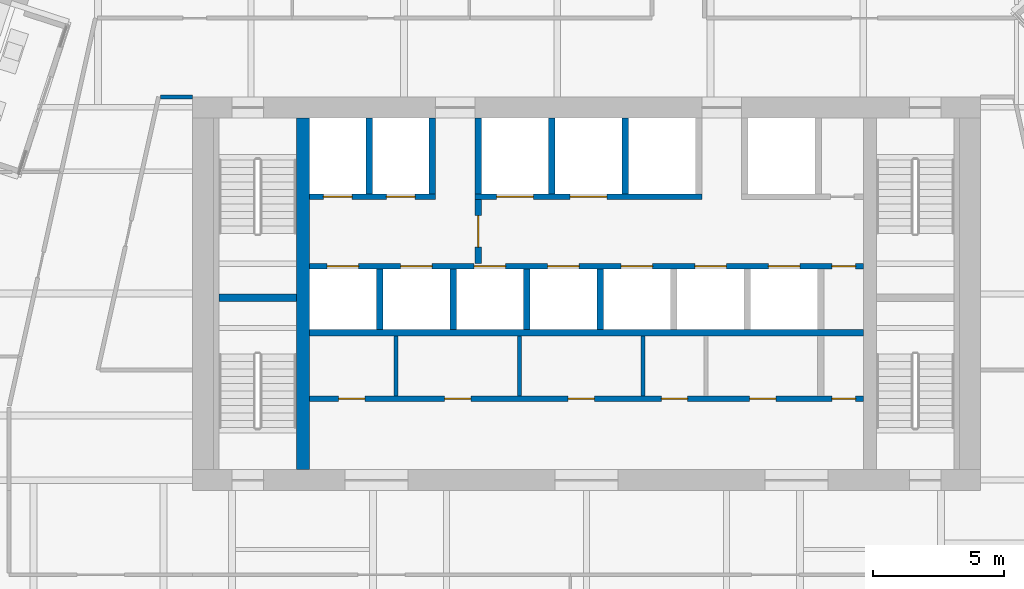
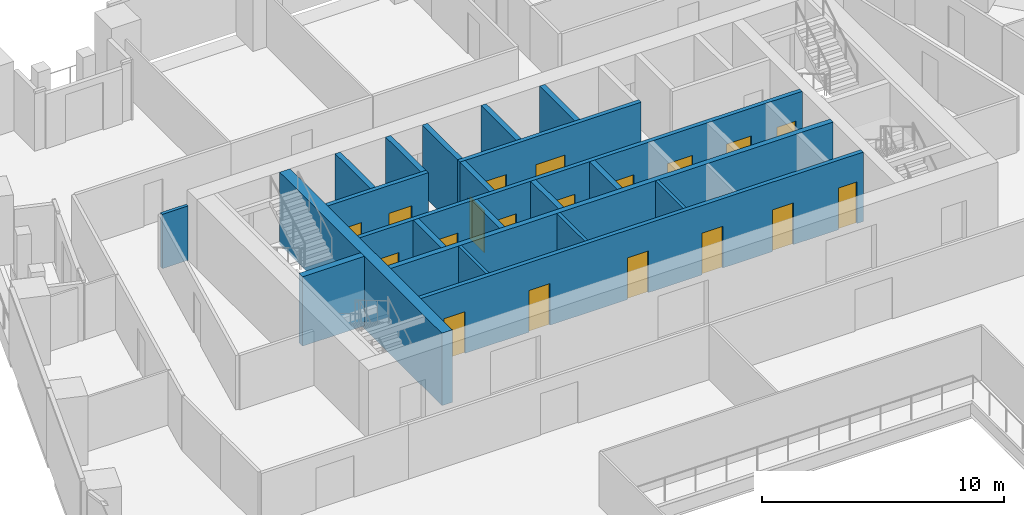
# One storey, part 20 of 26: 21 walls, 19 doors, 19 openings.
"""IFC4 building model written with IfcOpenShell, lengths in metres."""

from ifc_helpers import new_model, si_unit, direction, frame, frame_2d, origin, place, context, subcontext, project, spatial, rectangle, extrude, material, layer, layer_set, type_object, element, fill, save


model = new_model("IFC4")

# Units and contexts
model_context = context("Model", 3, precision=1e-05, world=origin(), true_north=direction((0.0, 1.0)))
body_context = subcontext(model_context, "Body", "Model", "MODEL_VIEW")
ifc_project = project(units=[si_unit("LENGTHUNIT", "METRE"), si_unit("AREAUNIT", "SQUARE_METRE"), si_unit("VOLUMEUNIT", "CUBIC_METRE"), si_unit("PLANEANGLEUNIT", "RADIAN"), si_unit("MASSUNIT", "GRAM", prefix="KILO")], contexts=[model_context])

# Site, building, storey
site_placement = place(None, origin())
site = spatial("IfcSite", under=ifc_project, at=site_placement, CompositionType="ELEMENT")
building_placement = place(site_placement, origin())
building = spatial("IfcBuilding", under=site, at=building_placement, Name="Isthmus Gate Tower", CompositionType="ELEMENT")
storey_placement = place(building_placement, frame((0.0, 0.0, 144.39990234375)))
storey = spatial("IfcBuildingStorey", under=building, at=storey_placement, Name="L35", CompositionType="ELEMENT", Elevation=144.39990234375)

# Wall
ifc_material_1 = material(Name="Gypsum board on steel studs, fire-rated", Category="steel")
ifc_layer_1 = layer(ifc_material_1, 0.14990234375)
ifc_layer_set_1 = layer_set([ifc_layer_1], Name="CORRIDOR WALL 150 60 MIN")
wall_type_1 = type_object("IfcWallType", Name="CORRIDOR WALL 150 60 MIN", PredefinedType="PARTITIONING", material=ifc_layer_set_1)
wall_1_placement = place(storey_placement, frame((-15.0, 15.0, 0.0), z_axis=(0.0, 0.0, 1.0), x_axis=(-1.0, 0.0, 0.0)))
element("IfcWall", 1, at=wall_1_placement, inside=storey, type_object=wall_type_1, Name="L35 Corridor Wall 150 60 Min", PredefinedType="PARTITIONING", context=body_context, shape_type="SweptSolid", body=[
    extrude(rectangle(XDim=1.221923828125, YDim=0.14990234375, at=frame_2d((0.61083984375, 0.0))), origin(), (0.0, 0.0, 1.0), 2.7412109375),
])

# Wall, opening, door
ifc_material_2 = material(Name="Fire-rated blockwork masonry, 15 MPa", Category="masonry")
ifc_layer_2 = layer(ifc_material_2, 0.25)
ifc_layer_set_2 = layer_set([ifc_layer_2], Name="FIRE-FIGHTING LOBBY WALL 250 90 MIN")
wall_type_2 = type_object("IfcWallType", Name="FIRE-FIGHTING LOBBY WALL 250 90 MIN", PredefinedType="PARTITIONING", material=ifc_layer_set_2)
wall_2_placement = place(storey_placement, frame((-4.125, 8.64990234375, 0.0), z_axis=(0.0, 0.0, 1.0), x_axis=(0.0, 1.0, 0.0)))
wall_2 = element("IfcWall", 2, at=wall_2_placement, inside=storey, type_object=wall_type_2, Name="L35 FIRE-FIGHTING LOBBY WALL 250 90 MIN", PredefinedType="PARTITIONING", context=body_context, shape_type="SweptSolid", body=[
    extrude(rectangle(XDim=2.4501953125, YDim=0.25, at=frame_2d((1.22509765625, 0.0))), origin(), (0.0, 0.0, 1.0), 3.5),
])
opening_1_placement = place(wall_2_placement, frame((0.625, 0.0, 0.0)))
opening_1 = element("IfcOpeningElement", 3, at=opening_1_placement, cuts=wall_2, Name="Opening DC-A10-01", PredefinedType="OPENING", context=body_context, shape_type="SweptSolid", body=[
    extrude(rectangle(XDim=1.199951171875, YDim=2.10009765625, at=frame_2d((0.60009765625, 1.050048828125))), frame((0.0, 0.135009765625, 0.0), z_axis=(0.0, -1.0, 0.0), x_axis=(1.0, 0.0, 0.0)), (0.0, 0.0, 1.0), 0.27001953125),
])
ifc_material_3 = material(Name="Steel door leaf, fire-rated", Category="steel")
door_type_1 = type_object("IfcDoorType", Name="LOBBY FIRE DOOR 1200 X 2100 90 MIN", OperationType="DOUBLE_DOOR_SINGLE_SWING", PredefinedType="DOOR", material=ifc_material_3)
door_1_placement = place(opening_1_placement, origin())
door_1 = element("IfcDoor", 4, at=door_1_placement, inside=storey, type_object=door_type_1, Name="Fire-fighting Lobby Door", OperationType="SINGLE_SWING_LEFT", OverallHeight=2.10009765625, OverallWidth=1.199951171875, PredefinedType="DOOR", context=body_context, shape_type="SweptSolid", body=[
    extrude(rectangle(XDim=1.199951171875, YDim=2.10009765625, at=frame_2d((0.60009765625, 1.050048828125))), frame((0.0, 0.02490234375, 0.0), z_axis=(0.0, -1.0, 0.0), x_axis=(1.0, 0.0, 0.0)), (0.0, 0.0, 1.0), 0.050048828125),
])
fill(opening_1, door_1)

# Walls
ifc_material_4 = material(Name="Concrete f'c 60 MPa", Category="concrete")
ifc_layer_3 = layer(ifc_material_4, 0.5)
ifc_layer_set_3 = layer_set([ifc_layer_3], Name="RC CORE SPINE WALL 500 F'C 60")
wall_type_3 = type_object("IfcWallType", Name="RC CORE SPINE WALL 500 F'C 60", PredefinedType="SOLIDWALL", material=ifc_layer_set_3)
wall_3_placement = place(storey_placement, frame((-10.800048828125, 0.800048828125, -0.14990234375), z_axis=(0.0, 0.0, 1.0), x_axis=(0.0, 1.0, 0.0)))
element("IfcWall", 5, at=wall_3_placement, inside=storey, type_object=wall_type_3, Name="str-corewall-L35-SPW", PredefinedType="SOLIDWALL", context=body_context, shape_type="SweptSolid", body=[
    extrude(rectangle(XDim=13.39990234375, YDim=0.5, at=frame_2d((6.699951171875, 0.0))), origin(), (0.0, 0.0, 1.0), 3.64990234375),
])
ifc_material_5 = material(Name="Gypsum board on steel studs, fire-rated", Category="steel")
ifc_layer_4 = layer(ifc_material_5, 0.14990234375)
ifc_layer_set_4 = layer_set([ifc_layer_4], Name="ROOM PARTITION 150 60 MIN")
wall_type_4 = type_object("IfcWallType", Name="ROOM PARTITION 150 60 MIN", PredefinedType="PARTITIONING", material=ifc_layer_set_4)
for number, where, z_axis, x_axis, name in (
    (6, (-7.25, 3.60009765625, 0.0), (0.0, 0.0, 1.0), (0.0, 1.0, 0.0), "L35 ROOM PARTITION 150 60 MIN"),
    (7, (-2.550048828125, 3.60009765625, 0.0), (0.0, 0.0, 1.0), (0.0, 1.0, 0.0), "L35 ROOM PARTITION 150 60 MIN"),
    (8, (2.14990234375, 3.60009765625, 0.0), (0.0, 0.0, 1.0), (0.0, 1.0, 0.0), "L35 ROOM PARTITION 150 60 MIN"),
):
    element("IfcWall", number, at=place(storey_placement, frame(where, z_axis=z_axis, x_axis=x_axis)), inside=storey, type_object=wall_type_4, Name=name, PredefinedType="PARTITIONING", context=body_context, shape_type="SweptSolid", body=[
        extrude(rectangle(XDim=2.2998046875, YDim=0.14990234375, at=frame_2d((1.14990234375, 0.0))), origin(), (0.0, 0.0, 1.0), 3.5),
    ])

# Wall, openings, doors
ifc_material_6 = material(Name="Fire-rated blockwork masonry, 15 MPa", Category="masonry")
ifc_layer_5 = layer(ifc_material_6, 0.199951171875)
ifc_layer_set_5 = layer_set([ifc_layer_5], Name="SHAFT FRONT WALL 200 120 MIN")
wall_type_5 = type_object("IfcWallType", Name="SHAFT FRONT WALL 200 120 MIN", PredefinedType="PARTITIONING", material=ifc_layer_set_5)
wall_4_placement = place(storey_placement, frame((-10.550048828125, 3.5, 0.0), z_axis=(0.0, 0.0, 1.0), x_axis=(1.0, 0.0, 0.0)))
wall_4 = element("IfcWall", 9, at=wall_4_placement, inside=storey, type_object=wall_type_5, Name="L35 SHAFT FRONT WALL 200 120 MIN", PredefinedType="PARTITIONING", context=body_context, shape_type="SweptSolid", body=[
    extrude(rectangle(XDim=21.10009765625, YDim=0.199951171875, at=frame_2d((10.550048828125, 0.0))), origin(), (0.0, 0.0, 1.0), 3.5),
])
opening_2_placement = place(wall_4_placement, frame((1.112548828125, 0.0, 0.0)))
opening_2 = element("IfcOpeningElement", 10, at=opening_2_placement, cuts=wall_4, Name="Opening DC-A10-02", PredefinedType="OPENING", context=body_context, shape_type="SweptSolid", body=[
    extrude(rectangle(XDim=1.0, YDim=2.10009765625, at=frame_2d((0.5, 1.050048828125))), frame((0.0, 0.10986328125, 0.0), z_axis=(0.0, -1.0, 0.0), x_axis=(1.0, 0.0, 0.0)), (0.0, 0.0, 1.0), 0.219970703125),
])
opening_3_placement = place(wall_4_placement, frame((5.14990234375, 0.0, 0.0)))
opening_3 = element("IfcOpeningElement", 11, at=opening_3_placement, cuts=wall_4, Name="Opening DC-A10-03", PredefinedType="OPENING", context=body_context, shape_type="SweptSolid", body=[
    extrude(rectangle(XDim=1.0, YDim=2.10009765625, at=frame_2d((0.5, 1.050048828125))), frame((0.0, 0.10986328125, 0.0), z_axis=(0.0, -1.0, 0.0), x_axis=(1.0, 0.0, 0.0)), (0.0, 0.0, 1.0), 0.219970703125),
])
opening_4_placement = place(wall_4_placement, frame((9.85009765625, 0.0, 0.0)))
opening_4 = element("IfcOpeningElement", 12, at=opening_4_placement, cuts=wall_4, Name="Opening DC-A10-04", PredefinedType="OPENING", context=body_context, shape_type="SweptSolid", body=[
    extrude(rectangle(XDim=1.0, YDim=2.10009765625, at=frame_2d((0.5, 1.050048828125))), frame((0.0, 0.10986328125, 0.0), z_axis=(0.0, -1.0, 0.0), x_axis=(1.0, 0.0, 0.0)), (0.0, 0.0, 1.0), 0.219970703125),
])
opening_5_placement = place(wall_4_placement, frame((13.39990234375, 0.0, 0.0)))
opening_5 = element("IfcOpeningElement", 13, at=opening_5_placement, cuts=wall_4, Name="Opening DC-A10-05", PredefinedType="OPENING", context=body_context, shape_type="SweptSolid", body=[
    extrude(rectangle(XDim=1.0, YDim=2.10009765625, at=frame_2d((0.5, 1.050048828125))), frame((0.0, 0.10986328125, 0.0), z_axis=(0.0, -1.0, 0.0), x_axis=(1.0, 0.0, 0.0)), (0.0, 0.0, 1.0), 0.219970703125),
])
opening_6_placement = place(wall_4_placement, frame((16.762451171875, 0.0, 0.0)))
opening_6 = element("IfcOpeningElement", 14, at=opening_6_placement, cuts=wall_4, Name="Opening DC-A10-06", PredefinedType="OPENING", context=body_context, shape_type="SweptSolid", body=[
    extrude(rectangle(XDim=1.0, YDim=2.10009765625, at=frame_2d((0.5, 1.050048828125))), frame((0.0, 0.10986328125, 0.0), z_axis=(0.0, -1.0, 0.0), x_axis=(1.0, 0.0, 0.0)), (0.0, 0.0, 1.0), 0.219970703125),
])
opening_7_placement = place(wall_4_placement, frame((19.89990234375, 0.0, 0.0)))
opening_7 = element("IfcOpeningElement", 15, at=opening_7_placement, cuts=wall_4, Name="Opening DC-A10-07", PredefinedType="OPENING", context=body_context, shape_type="SweptSolid", body=[
    extrude(rectangle(XDim=0.89990234375, YDim=2.10009765625, at=frame_2d((0.449951171875, 1.050048828125))), frame((0.0, 0.10986328125, 0.0), z_axis=(0.0, -1.0, 0.0), x_axis=(1.0, 0.0, 0.0)), (0.0, 0.0, 1.0), 0.219970703125),
])
ifc_material_7 = material(Name="Steel door leaf, fire-rated", Category="steel")
door_type_2 = type_object("IfcDoorType", Name="FIRE DOOR 1000 X 2100 60 MIN", OperationType="SINGLE_SWING_LEFT", PredefinedType="DOOR", material=ifc_material_7)
door_2_placement = place(opening_2_placement, origin())
door_2 = element("IfcDoor", 16, at=door_2_placement, inside=storey, type_object=door_type_2, Name="Janitor Store Door", OperationType="SINGLE_SWING_LEFT", OverallHeight=2.10009765625, OverallWidth=1.0, PredefinedType="DOOR", context=body_context, shape_type="SweptSolid", body=[
    extrude(rectangle(XDim=1.0, YDim=2.10009765625, at=frame_2d((0.5, 1.050048828125))), frame((0.0, 0.02490234375, 0.0), z_axis=(0.0, -1.0, 0.0), x_axis=(1.0, 0.0, 0.0)), (0.0, 0.0, 1.0), 0.050048828125),
])
fill(opening_2, door_2)
door_3_placement = place(opening_3_placement, origin())
door_3 = element("IfcDoor", 17, at=door_3_placement, inside=storey, type_object=door_type_2, Name="WC Women Door", OperationType="SINGLE_SWING_RIGHT", OverallHeight=2.10009765625, OverallWidth=1.0, PredefinedType="DOOR", context=body_context, shape_type="SweptSolid", body=[
    extrude(rectangle(XDim=1.0, YDim=2.10009765625, at=frame_2d((0.5, 1.050048828125))), frame((0.0, 0.02490234375, 0.0), z_axis=(0.0, -1.0, 0.0), x_axis=(1.0, 0.0, 0.0)), (0.0, 0.0, 1.0), 0.050048828125),
])
fill(opening_3, door_3)
door_4_placement = place(opening_4_placement, origin())
door_4 = element("IfcDoor", 18, at=door_4_placement, inside=storey, type_object=door_type_2, Name="WC Men Door", OperationType="SINGLE_SWING_LEFT", OverallHeight=2.10009765625, OverallWidth=1.0, PredefinedType="DOOR", context=body_context, shape_type="SweptSolid", body=[
    extrude(rectangle(XDim=1.0, YDim=2.10009765625, at=frame_2d((0.5, 1.050048828125))), frame((0.0, 0.02490234375, 0.0), z_axis=(0.0, -1.0, 0.0), x_axis=(1.0, 0.0, 0.0)), (0.0, 0.0, 1.0), 0.050048828125),
])
fill(opening_4, door_4)
door_5_placement = place(opening_5_placement, origin())
door_5 = element("IfcDoor", 19, at=door_5_placement, inside=storey, type_object=door_type_2, Name="Accessible WC Door", OperationType="SINGLE_SWING_RIGHT", OverallHeight=2.10009765625, OverallWidth=1.0, PredefinedType="DOOR", context=body_context, shape_type="SweptSolid", body=[
    extrude(rectangle(XDim=1.0, YDim=2.10009765625, at=frame_2d((0.5, 1.050048828125))), frame((0.0, 0.02490234375, 0.0), z_axis=(0.0, -1.0, 0.0), x_axis=(1.0, 0.0, 0.0)), (0.0, 0.0, 1.0), 0.050048828125),
])
fill(opening_5, door_5)
door_6_placement = place(opening_6_placement, origin())
door_6 = element("IfcDoor", 20, at=door_6_placement, inside=storey, type_object=door_type_2, Name="Print Room Door", OperationType="SINGLE_SWING_LEFT", OverallHeight=2.10009765625, OverallWidth=1.0, PredefinedType="DOOR", context=body_context, shape_type="SweptSolid", body=[
    extrude(rectangle(XDim=1.0, YDim=2.10009765625, at=frame_2d((0.5, 1.050048828125))), frame((0.0, 0.02490234375, 0.0), z_axis=(0.0, -1.0, 0.0), x_axis=(1.0, 0.0, 0.0)), (0.0, 0.0, 1.0), 0.050048828125),
])
fill(opening_6, door_6)
ifc_material_8 = material(Name="Steel door leaf, fire-rated", Category="steel")
door_type_3 = type_object("IfcDoorType", Name="RISER FIRE DOOR 900 X 2100 90 MIN", OperationType="SINGLE_SWING_LEFT", PredefinedType="DOOR", material=ifc_material_8)
door_7_placement = place(opening_7_placement, origin())
door_7 = element("IfcDoor", 21, at=door_7_placement, inside=storey, type_object=door_type_3, Name="Riser Door", OperationType="SINGLE_SWING_RIGHT", OverallHeight=2.10009765625, OverallWidth=0.89990234375, PredefinedType="DOOR", context=body_context, shape_type="SweptSolid", body=[
    extrude(rectangle(XDim=0.89990234375, YDim=2.10009765625, at=frame_2d((0.449951171875, 1.050048828125))), frame((0.0, 0.02490234375, 0.0), z_axis=(0.0, -1.0, 0.0), x_axis=(1.0, 0.0, 0.0)), (0.0, 0.0, 1.0), 0.050048828125),
])
fill(opening_7, door_7)

wall_5_placement = place(storey_placement, frame((-10.550048828125, 8.550048828125, 0.0), z_axis=(0.0, 0.0, 1.0), x_axis=(1.0, 0.0, 0.0)))
wall_5 = element("IfcWall", 22, at=wall_5_placement, inside=storey, type_object=wall_type_5, Name="L35 SHAFT FRONT WALL 200 120 MIN", PredefinedType="PARTITIONING", context=body_context, shape_type="SweptSolid", body=[
    extrude(rectangle(XDim=21.10009765625, YDim=0.199951171875, at=frame_2d((10.550048828125, 0.0))), origin(), (0.0, 0.0, 1.0), 3.5),
])
opening_8_placement = place(wall_5_placement, frame((0.675048828125, 0.0, 0.0)))
opening_8 = element("IfcOpeningElement", 23, at=opening_8_placement, cuts=wall_5, Name="Opening LD-LB1", PredefinedType="OPENING", context=body_context, shape_type="SweptSolid", body=[
    extrude(rectangle(XDim=1.199951171875, YDim=2.10009765625, at=frame_2d((0.60009765625, 1.050048828125))), frame((0.0, 0.10986328125, 0.0), z_axis=(0.0, -1.0, 0.0), x_axis=(1.0, 0.0, 0.0)), (0.0, 0.0, 1.0), 0.219970703125),
])
opening_9_placement = place(wall_5_placement, frame((3.47509765625, 0.0, 0.0)))
opening_9 = element("IfcOpeningElement", 24, at=opening_9_placement, cuts=wall_5, Name="Opening LD-LB2", PredefinedType="OPENING", context=body_context, shape_type="SweptSolid", body=[
    extrude(rectangle(XDim=1.199951171875, YDim=2.10009765625, at=frame_2d((0.60009765625, 1.050048828125))), frame((0.0, 0.10986328125, 0.0), z_axis=(0.0, -1.0, 0.0), x_axis=(1.0, 0.0, 0.0)), (0.0, 0.0, 1.0), 0.219970703125),
])
opening_10_placement = place(wall_5_placement, frame((6.27490234375, 0.0, 0.0)))
opening_10 = element("IfcOpeningElement", 25, at=opening_10_placement, cuts=wall_5, Name="Opening LD-LB3", PredefinedType="OPENING", context=body_context, shape_type="SweptSolid", body=[
    extrude(rectangle(XDim=1.199951171875, YDim=2.10009765625, at=frame_2d((0.60009765625, 1.050048828125))), frame((0.0, 0.10986328125, 0.0), z_axis=(0.0, -1.0, 0.0), x_axis=(1.0, 0.0, 0.0)), (0.0, 0.0, 1.0), 0.219970703125),
])
opening_11_placement = place(wall_5_placement, frame((9.074951171875, 0.0, 0.0)))
opening_11 = element("IfcOpeningElement", 26, at=opening_11_placement, cuts=wall_5, Name="Opening LD-LB4", PredefinedType="OPENING", context=body_context, shape_type="SweptSolid", body=[
    extrude(rectangle(XDim=1.199951171875, YDim=2.10009765625, at=frame_2d((0.60009765625, 1.050048828125))), frame((0.0, 0.10986328125, 0.0), z_axis=(0.0, -1.0, 0.0), x_axis=(1.0, 0.0, 0.0)), (0.0, 0.0, 1.0), 0.219970703125),
])
opening_12_placement = place(wall_5_placement, frame((11.875, 0.0, 0.0)))
opening_12 = element("IfcOpeningElement", 27, at=opening_12_placement, cuts=wall_5, Name="Opening LD-LB5", PredefinedType="OPENING", context=body_context, shape_type="SweptSolid", body=[
    extrude(rectangle(XDim=1.199951171875, YDim=2.10009765625, at=frame_2d((0.60009765625, 1.050048828125))), frame((0.0, 0.10986328125, 0.0), z_axis=(0.0, -1.0, 0.0), x_axis=(1.0, 0.0, 0.0)), (0.0, 0.0, 1.0), 0.219970703125),
])
opening_13_placement = place(wall_5_placement, frame((14.675048828125, 0.0, 0.0)))
opening_13 = element("IfcOpeningElement", 28, at=opening_13_placement, cuts=wall_5, Name="Opening LD-LB6", PredefinedType="OPENING", context=body_context, shape_type="SweptSolid", body=[
    extrude(rectangle(XDim=1.199951171875, YDim=2.10009765625, at=frame_2d((0.60009765625, 1.050048828125))), frame((0.0, 0.10986328125, 0.0), z_axis=(0.0, -1.0, 0.0), x_axis=(1.0, 0.0, 0.0)), (0.0, 0.0, 1.0), 0.219970703125),
])
opening_14_placement = place(wall_5_placement, frame((17.47509765625, 0.0, 0.0)))
opening_14 = element("IfcOpeningElement", 29, at=opening_14_placement, cuts=wall_5, Name="Opening LD-LB7", PredefinedType="OPENING", context=body_context, shape_type="SweptSolid", body=[
    extrude(rectangle(XDim=1.199951171875, YDim=2.10009765625, at=frame_2d((0.60009765625, 1.050048828125))), frame((0.0, 0.10986328125, 0.0), z_axis=(0.0, -1.0, 0.0), x_axis=(1.0, 0.0, 0.0)), (0.0, 0.0, 1.0), 0.219970703125),
])
opening_15_placement = place(wall_5_placement, frame((19.89990234375, 0.0, 0.0)))
opening_15 = element("IfcOpeningElement", 30, at=opening_15_placement, cuts=wall_5, Name="Opening DC-A10-08", PredefinedType="OPENING", context=body_context, shape_type="SweptSolid", body=[
    extrude(rectangle(XDim=0.89990234375, YDim=2.10009765625, at=frame_2d((0.449951171875, 1.050048828125))), frame((0.0, 0.10986328125, 0.0), z_axis=(0.0, -1.0, 0.0), x_axis=(1.0, 0.0, 0.0)), (0.0, 0.0, 1.0), 0.219970703125),
])
ifc_material_9 = material(Name="Stainless steel sliding leaf", Category="steel")
door_type_4 = type_object("IfcDoorType", Name="LIFT LANDING FIRE DOOR 1200 X 2100 90 MIN", OperationType="DOUBLE_DOOR_SLIDING", PredefinedType="DOOR", material=ifc_material_9)
door_8_placement = place(opening_8_placement, origin())
door_8 = element("IfcDoor", 31, at=door_8_placement, inside=storey, type_object=door_type_4, Name="Lift Landing Door LB1", OperationType="DOUBLE_DOOR_SLIDING", OverallHeight=2.10009765625, OverallWidth=1.199951171875, PredefinedType="DOOR", context=body_context, shape_type="SweptSolid", body=[
    extrude(rectangle(XDim=1.199951171875, YDim=2.10009765625, at=frame_2d((0.60009765625, 1.050048828125))), frame((0.0, 0.02490234375, 0.0), z_axis=(0.0, -1.0, 0.0), x_axis=(1.0, 0.0, 0.0)), (0.0, 0.0, 1.0), 0.050048828125),
])
fill(opening_8, door_8)
door_9_placement = place(opening_9_placement, origin())
door_9 = element("IfcDoor", 32, at=door_9_placement, inside=storey, type_object=door_type_4, Name="Lift Landing Door LB2", OperationType="DOUBLE_DOOR_SLIDING", OverallHeight=2.10009765625, OverallWidth=1.199951171875, PredefinedType="DOOR", context=body_context, shape_type="SweptSolid", body=[
    extrude(rectangle(XDim=1.199951171875, YDim=2.10009765625, at=frame_2d((0.60009765625, 1.050048828125))), frame((0.0, 0.02490234375, 0.0), z_axis=(0.0, -1.0, 0.0), x_axis=(1.0, 0.0, 0.0)), (0.0, 0.0, 1.0), 0.050048828125),
])
fill(opening_9, door_9)
door_10_placement = place(opening_10_placement, origin())
door_10 = element("IfcDoor", 33, at=door_10_placement, inside=storey, type_object=door_type_4, Name="Lift Landing Door LB3", OperationType="DOUBLE_DOOR_SLIDING", OverallHeight=2.10009765625, OverallWidth=1.199951171875, PredefinedType="DOOR", context=body_context, shape_type="SweptSolid", body=[
    extrude(rectangle(XDim=1.199951171875, YDim=2.10009765625, at=frame_2d((0.60009765625, 1.050048828125))), frame((0.0, 0.02490234375, 0.0), z_axis=(0.0, -1.0, 0.0), x_axis=(1.0, 0.0, 0.0)), (0.0, 0.0, 1.0), 0.050048828125),
])
fill(opening_10, door_10)
door_11_placement = place(opening_11_placement, origin())
door_11 = element("IfcDoor", 34, at=door_11_placement, inside=storey, type_object=door_type_4, Name="Lift Landing Door LB4", OperationType="DOUBLE_DOOR_SLIDING", OverallHeight=2.10009765625, OverallWidth=1.199951171875, PredefinedType="DOOR", context=body_context, shape_type="SweptSolid", body=[
    extrude(rectangle(XDim=1.199951171875, YDim=2.10009765625, at=frame_2d((0.60009765625, 1.050048828125))), frame((0.0, 0.02490234375, 0.0), z_axis=(0.0, -1.0, 0.0), x_axis=(1.0, 0.0, 0.0)), (0.0, 0.0, 1.0), 0.050048828125),
])
fill(opening_11, door_11)
door_12_placement = place(opening_12_placement, origin())
door_12 = element("IfcDoor", 35, at=door_12_placement, inside=storey, type_object=door_type_4, Name="Lift Landing Door LB5", OperationType="DOUBLE_DOOR_SLIDING", OverallHeight=2.10009765625, OverallWidth=1.199951171875, PredefinedType="DOOR", context=body_context, shape_type="SweptSolid", body=[
    extrude(rectangle(XDim=1.199951171875, YDim=2.10009765625, at=frame_2d((0.60009765625, 1.050048828125))), frame((0.0, 0.02490234375, 0.0), z_axis=(0.0, -1.0, 0.0), x_axis=(1.0, 0.0, 0.0)), (0.0, 0.0, 1.0), 0.050048828125),
])
fill(opening_12, door_12)
door_13_placement = place(opening_13_placement, origin())
door_13 = element("IfcDoor", 36, at=door_13_placement, inside=storey, type_object=door_type_4, Name="Lift Landing Door LB6", OperationType="DOUBLE_DOOR_SLIDING", OverallHeight=2.10009765625, OverallWidth=1.199951171875, PredefinedType="DOOR", context=body_context, shape_type="SweptSolid", body=[
    extrude(rectangle(XDim=1.199951171875, YDim=2.10009765625, at=frame_2d((0.60009765625, 1.050048828125))), frame((0.0, 0.02490234375, 0.0), z_axis=(0.0, -1.0, 0.0), x_axis=(1.0, 0.0, 0.0)), (0.0, 0.0, 1.0), 0.050048828125),
])
fill(opening_13, door_13)
door_14_placement = place(opening_14_placement, origin())
door_14 = element("IfcDoor", 37, at=door_14_placement, inside=storey, type_object=door_type_4, Name="Lift Landing Door LB7", OperationType="DOUBLE_DOOR_SLIDING", OverallHeight=2.10009765625, OverallWidth=1.199951171875, PredefinedType="DOOR", context=body_context, shape_type="SweptSolid", body=[
    extrude(rectangle(XDim=1.199951171875, YDim=2.10009765625, at=frame_2d((0.60009765625, 1.050048828125))), frame((0.0, 0.02490234375, 0.0), z_axis=(0.0, -1.0, 0.0), x_axis=(1.0, 0.0, 0.0)), (0.0, 0.0, 1.0), 0.050048828125),
])
fill(opening_14, door_14)
door_15_placement = place(opening_15_placement, origin())
door_15 = element("IfcDoor", 38, at=door_15_placement, inside=storey, type_object=door_type_3, Name="Riser Door", OperationType="SINGLE_SWING_RIGHT", OverallHeight=2.10009765625, OverallWidth=0.89990234375, PredefinedType="DOOR", context=body_context, shape_type="SweptSolid", body=[
    extrude(rectangle(XDim=0.89990234375, YDim=2.10009765625, at=frame_2d((0.449951171875, 1.050048828125))), frame((0.0, 0.02490234375, 0.0), z_axis=(0.0, -1.0, 0.0), x_axis=(1.0, 0.0, 0.0)), (0.0, 0.0, 1.0), 0.050048828125),
])
fill(opening_15, door_15)

wall_6_placement = place(storey_placement, frame((-10.550048828125, 11.199951171875, 0.0), z_axis=(0.0, 0.0, 1.0), x_axis=(1.0, 0.0, 0.0)))
wall_6 = element("IfcWall", 39, at=wall_6_placement, inside=storey, type_object=wall_type_5, Name="L35 SHAFT FRONT WALL 200 120 MIN", PredefinedType="PARTITIONING", context=body_context, shape_type="SweptSolid", body=[
    extrude(rectangle(XDim=4.800048828125, YDim=0.199951171875, at=frame_2d((2.39990234375, 0.0))), origin(), (0.0, 0.0, 1.0), 3.5),
])
opening_16_placement = place(wall_6_placement, frame((0.52490234375, 0.0, 0.0)))
opening_16 = element("IfcOpeningElement", 40, at=opening_16_placement, cuts=wall_6, Name="Opening LD-LF1", PredefinedType="OPENING", context=body_context, shape_type="SweptSolid", body=[
    extrude(rectangle(XDim=1.10009765625, YDim=2.10009765625, at=frame_2d((0.550048828125, 1.050048828125))), frame((0.0, 0.10986328125, 0.0), z_axis=(0.0, -1.0, 0.0), x_axis=(1.0, 0.0, 0.0)), (0.0, 0.0, 1.0), 0.219970703125),
])
opening_17_placement = place(wall_6_placement, frame((2.925048828125, 0.0, 0.0)))
opening_17 = element("IfcOpeningElement", 41, at=opening_17_placement, cuts=wall_6, Name="Opening LD-LF2", PredefinedType="OPENING", context=body_context, shape_type="SweptSolid", body=[
    extrude(rectangle(XDim=1.10009765625, YDim=2.10009765625, at=frame_2d((0.550048828125, 1.050048828125))), frame((0.0, 0.10986328125, 0.0), z_axis=(0.0, -1.0, 0.0), x_axis=(1.0, 0.0, 0.0)), (0.0, 0.0, 1.0), 0.219970703125),
])
ifc_material_10 = material(Name="Stainless steel sliding leaf", Category="steel")
door_type_5 = type_object("IfcDoorType", Name="LIFT LANDING FIRE DOOR 1100 X 2100 90 MIN", OperationType="DOUBLE_DOOR_SLIDING", PredefinedType="DOOR", material=ifc_material_10)
door_16_placement = place(opening_16_placement, origin())
door_16 = element("IfcDoor", 42, at=door_16_placement, inside=storey, type_object=door_type_5, Name="Lift Landing Door LF1", OperationType="DOUBLE_DOOR_SLIDING", OverallHeight=2.10009765625, OverallWidth=1.10009765625, PredefinedType="DOOR", context=body_context, shape_type="SweptSolid", body=[
    extrude(rectangle(XDim=1.10009765625, YDim=2.10009765625, at=frame_2d((0.550048828125, 1.050048828125))), frame((0.0, 0.02490234375, 0.0), z_axis=(0.0, -1.0, 0.0), x_axis=(1.0, 0.0, 0.0)), (0.0, 0.0, 1.0), 0.050048828125),
])
fill(opening_16, door_16)
door_17_placement = place(opening_17_placement, origin())
door_17 = element("IfcDoor", 43, at=door_17_placement, inside=storey, type_object=door_type_5, Name="Lift Landing Door LF2", OperationType="DOUBLE_DOOR_SLIDING", OverallHeight=2.10009765625, OverallWidth=1.10009765625, PredefinedType="DOOR", context=body_context, shape_type="SweptSolid", body=[
    extrude(rectangle(XDim=1.10009765625, YDim=2.10009765625, at=frame_2d((0.550048828125, 1.050048828125))), frame((0.0, 0.02490234375, 0.0), z_axis=(0.0, -1.0, 0.0), x_axis=(1.0, 0.0, 0.0)), (0.0, 0.0, 1.0), 0.050048828125),
])
fill(opening_17, door_17)

wall_7_placement = place(storey_placement, frame((-4.25, 11.199951171875, 0.0), z_axis=(0.0, 0.0, 1.0), x_axis=(1.0, 0.0, 0.0)))
wall_7 = element("IfcWall", 44, at=wall_7_placement, inside=storey, type_object=wall_type_5, Name="L35 SHAFT FRONT WALL 200 120 MIN", PredefinedType="PARTITIONING", context=body_context, shape_type="SweptSolid", body=[
    extrude(rectangle(XDim=8.64990234375, YDim=0.199951171875, at=frame_2d((4.324951171875, 0.0))), origin(), (0.0, 0.0, 1.0), 3.5),
])
opening_18_placement = place(wall_7_placement, frame((0.824951171875, 0.0, 0.0)))
opening_18 = element("IfcOpeningElement", 45, at=opening_18_placement, cuts=wall_7, Name="Opening LD-LV1", PredefinedType="OPENING", context=body_context, shape_type="SweptSolid", body=[
    extrude(rectangle(XDim=1.39990234375, YDim=2.10009765625, at=frame_2d((0.699951171875, 1.050048828125))), frame((0.0, 0.10986328125, 0.0), z_axis=(0.0, -1.0, 0.0), x_axis=(1.0, 0.0, 0.0)), (0.0, 0.0, 1.0), 0.219970703125),
])
opening_19_placement = place(wall_7_placement, frame((3.625, 0.0, 0.0)))
opening_19 = element("IfcOpeningElement", 46, at=opening_19_placement, cuts=wall_7, Name="Opening LD-LV2", PredefinedType="OPENING", context=body_context, shape_type="SweptSolid", body=[
    extrude(rectangle(XDim=1.39990234375, YDim=2.10009765625, at=frame_2d((0.699951171875, 1.050048828125))), frame((0.0, 0.10986328125, 0.0), z_axis=(0.0, -1.0, 0.0), x_axis=(1.0, 0.0, 0.0)), (0.0, 0.0, 1.0), 0.219970703125),
])
ifc_material_11 = material(Name="Stainless steel sliding leaf", Category="steel")
door_type_6 = type_object("IfcDoorType", Name="LIFT LANDING FIRE DOOR 1400 X 2100 90 MIN", OperationType="DOUBLE_DOOR_SLIDING", PredefinedType="DOOR", material=ifc_material_11)
door_18_placement = place(opening_18_placement, origin())
door_18 = element("IfcDoor", 47, at=door_18_placement, inside=storey, type_object=door_type_6, Name="Lift Landing Door LV1", OperationType="DOUBLE_DOOR_SLIDING", OverallHeight=2.10009765625, OverallWidth=1.39990234375, PredefinedType="DOOR", context=body_context, shape_type="SweptSolid", body=[
    extrude(rectangle(XDim=1.39990234375, YDim=2.10009765625, at=frame_2d((0.699951171875, 1.050048828125))), frame((0.0, 0.02490234375, 0.0), z_axis=(0.0, -1.0, 0.0), x_axis=(1.0, 0.0, 0.0)), (0.0, 0.0, 1.0), 0.050048828125),
])
fill(opening_18, door_18)
door_19_placement = place(opening_19_placement, origin())
door_19 = element("IfcDoor", 48, at=door_19_placement, inside=storey, type_object=door_type_6, Name="Lift Landing Door LV2", OperationType="DOUBLE_DOOR_SLIDING", OverallHeight=2.10009765625, OverallWidth=1.39990234375, PredefinedType="DOOR", context=body_context, shape_type="SweptSolid", body=[
    extrude(rectangle(XDim=1.39990234375, YDim=2.10009765625, at=frame_2d((0.699951171875, 1.050048828125))), frame((0.0, 0.02490234375, 0.0), z_axis=(0.0, -1.0, 0.0), x_axis=(1.0, 0.0, 0.0)), (0.0, 0.0, 1.0), 0.050048828125),
])
fill(opening_19, door_19)

# Walls
ifc_material_12 = material(Name="Fire-rated blockwork masonry, 15 MPa", Category="masonry")
ifc_layer_6 = layer(ifc_material_12, 0.25)
ifc_layer_set_6 = layer_set([ifc_layer_6], Name="SHAFT WALL 250 120 MIN")
wall_type_6 = type_object("IfcWallType", Name="SHAFT WALL 250 120 MIN", PredefinedType="PARTITIONING", material=ifc_layer_set_6)
wall_8_placement = place(storey_placement, frame((-10.550048828125, 6.02490234375, 0.0), z_axis=(0.0, 0.0, 1.0), x_axis=(1.0, 0.0, 0.0)))
element("IfcWall", 49, at=wall_8_placement, inside=storey, type_object=wall_type_6, Name="L35 SHAFT WALL 250 120 MIN", PredefinedType="PARTITIONING", context=body_context, shape_type="SweptSolid", body=[
    extrude(rectangle(XDim=21.10009765625, YDim=0.25, at=frame_2d((10.550048828125, 0.0))), origin(), (0.0, 0.0, 1.0), 3.5),
])
for number, where, z_axis, x_axis, name in (
    (50, (-7.875, 6.14990234375, 0.0), (0.0, 0.0, 1.0), (0.0, 1.0, 0.0), "L35 SHAFT WALL 250 120 MIN"),
    (51, (-5.074951171875, 6.14990234375, 0.0), (0.0, 0.0, 1.0), (0.0, 1.0, 0.0), "L35 SHAFT WALL 250 120 MIN"),
    (52, (-2.27490234375, 6.14990234375, 0.0), (0.0, 0.0, 1.0), (0.0, 1.0, 0.0), "L35 SHAFT WALL 250 120 MIN"),
    (53, (0.52490234375, 6.14990234375, 0.0), (0.0, 0.0, 1.0), (0.0, 1.0, 0.0), "L35 SHAFT WALL 250 120 MIN"),
):
    element("IfcWall", number, at=place(storey_placement, frame(where, z_axis=z_axis, x_axis=x_axis)), inside=storey, type_object=wall_type_6, Name=name, PredefinedType="PARTITIONING", context=body_context, shape_type="SweptSolid", body=[
        extrude(rectangle(XDim=2.300048828125, YDim=0.25, at=frame_2d((1.14990234375, 0.0))), origin(), (0.0, 0.0, 1.0), 3.5),
    ])
for number, where, z_axis, x_axis, name in (
    (54, (-8.27490234375, 11.300048828125, 0.0), (0.0, 0.0, 1.0), (0.0, 1.0, 0.0), "L35 SHAFT WALL 250 120 MIN"),
    (55, (-5.875, 11.300048828125, 0.0), (0.0, 0.0, 1.0), (0.0, 1.0, 0.0), "L35 SHAFT WALL 250 120 MIN"),
    (56, (-4.125, 11.300048828125, 0.0), (0.0, 0.0, 1.0), (0.0, 1.0, 0.0), "L35 SHAFT WALL 250 120 MIN"),
    (57, (-1.324951171875, 11.300048828125, 0.0), (0.0, 0.0, 1.0), (0.0, 1.0, 0.0), "L35 SHAFT WALL 250 120 MIN"),
    (58, (1.47509765625, 11.300048828125, 0.0), (0.0, 0.0, 1.0), (0.0, 1.0, 0.0), "L35 SHAFT WALL 250 120 MIN"),
):
    element("IfcWall", number, at=place(storey_placement, frame(where, z_axis=z_axis, x_axis=x_axis)), inside=storey, type_object=wall_type_6, Name=name, PredefinedType="PARTITIONING", context=body_context, shape_type="SweptSolid", body=[
        extrude(rectangle(XDim=2.89990234375, YDim=0.25, at=frame_2d((1.449951171875, 0.0))), origin(), (0.0, 0.0, 1.0), 3.5),
    ])
ifc_material_13 = material(Name="Concrete f'c 40 MPa", Category="concrete")
ifc_layer_7 = layer(ifc_material_13, 0.300048828125)
ifc_layer_set_7 = layer_set([ifc_layer_7], Name="STAIR ENCLOSURE WALL 300 180 MIN")
wall_type_7 = type_object("IfcWallType", Name="STAIR ENCLOSURE WALL 300 180 MIN", PredefinedType="SOLIDWALL", material=ifc_layer_set_7)
wall_9_placement = place(storey_placement, frame((-14.0, 7.35009765625, 0.0), z_axis=(0.0, 0.0, 1.0), x_axis=(1.0, 0.0, 0.0)))
element("IfcWall", 59, at=wall_9_placement, inside=storey, type_object=wall_type_7, Name="L35 STAIR ENCLOSURE WALL 300 180 MIN", PredefinedType="SOLIDWALL", context=body_context, shape_type="SweptSolid", body=[
    extrude(rectangle(XDim=2.949951171875, YDim=0.300048828125, at=frame_2d((1.47509765625, 0.0))), origin(), (0.0, 0.0, 1.0), 3.5),
])

save(model, "model.ifc")
